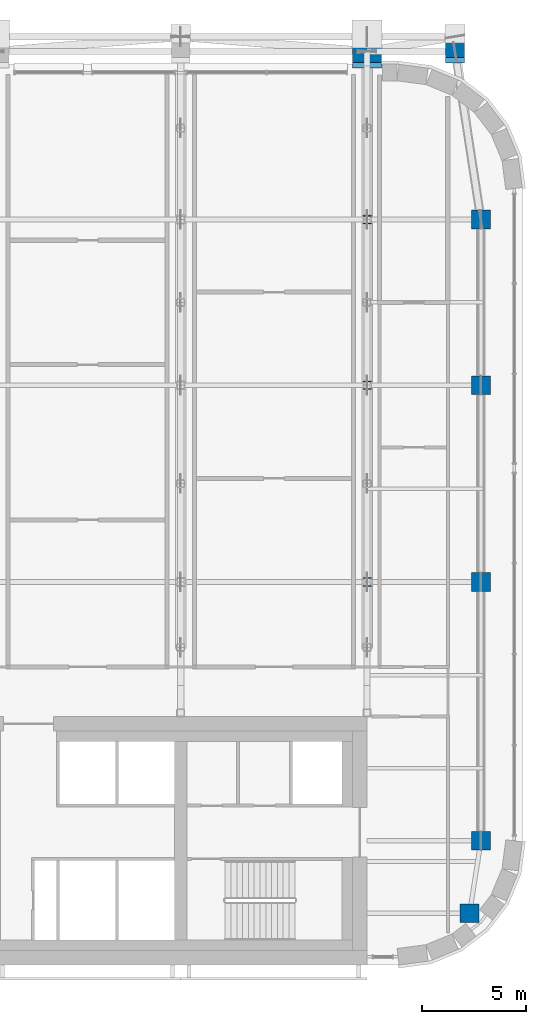
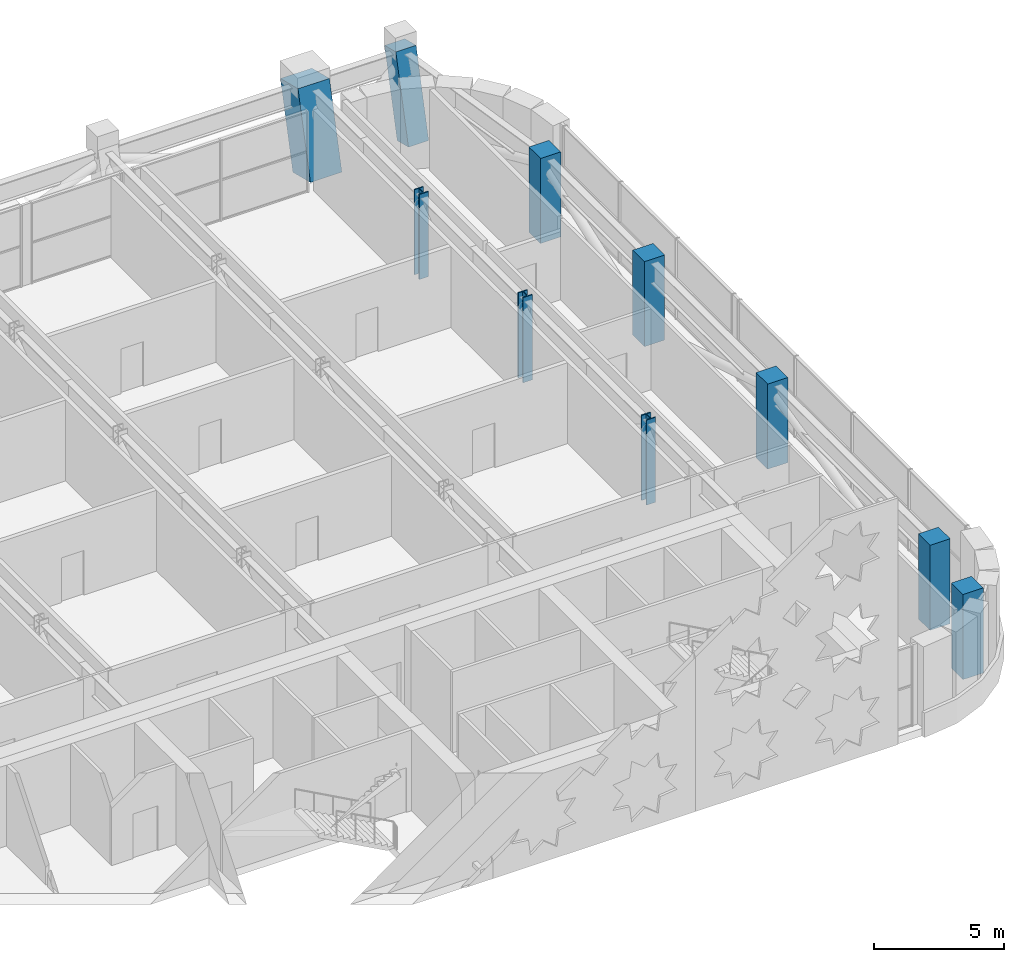
# One storey, part 2 of 26: 10 columns.
"""IFC4 building model written with IfcOpenShell, lengths in metres."""

from ifc_helpers import new_model, si_unit, direction, frame, origin, origin_2d, place, context, subcontext, project, spatial, rectangle, i_section, extrude, clip, halfspace, material, material_profile, profile_set, type_object, element, save


model = new_model("IFC4")

# Units and contexts
model_context = context("Model", 3, precision=1e-05, world=origin(), true_north=direction((0.0, 1.0)))
body_context = subcontext(model_context, "Body", "Model", "MODEL_VIEW")
ifc_project = project(units=[si_unit("LENGTHUNIT", "METRE"), si_unit("AREAUNIT", "SQUARE_METRE"), si_unit("VOLUMEUNIT", "CUBIC_METRE"), si_unit("PLANEANGLEUNIT", "RADIAN"), si_unit("MASSUNIT", "GRAM", prefix="KILO")], contexts=[model_context])

# Site, building, storey
site_placement = place(None, origin())
site = spatial("IfcSite", under=ifc_project, at=site_placement, CompositionType="ELEMENT")
building_placement = place(site_placement, origin())
building = spatial("IfcBuilding", under=site, at=building_placement, Name="Zellij Exchange Tower", CompositionType="ELEMENT")
storey_placement = place(building_placement, frame((0.0, 0.0, 216.5)))
storey = spatial("IfcBuildingStorey", under=building, at=storey_placement, Name="L50", CompositionType="ELEMENT", Elevation=216.5)

# Columns
ifc_material_1 = material(Name="Concrete C60/75", Category="concrete")
ifc_material_profile_1 = material_profile(ifc_material_1, rectangle(XDim=0.89990234375, YDim=0.89990234375, at=origin_2d()), Name="STR-COLUMN RC900x900 C60/75")
ifc_profile_set_1 = profile_set([ifc_material_profile_1], Name="Concrete C60/75")
column_type_1 = type_object("IfcColumnType", Name="STR-COLUMN RC900x900 C60/75", PredefinedType="COLUMN", material=ifc_profile_set_1)
for number, where, z_axis, x_axis, name in (
    (1, (31.949951171875, -11.5, 0.0), (0.0, 0.0, 1.0), (1.0, 0.0, 0.0), "C16"),
    (2, (32.5, -8.0, 0.0), (0.0, 0.0, 1.0), (1.0, 0.0, 0.0), "C16"),
    (3, (32.5, 4.5, 0.0), (0.0, 0.0, 1.0), (1.0, 0.0, 0.0), "C16"),
    (4, (32.5, 14.0, 0.0), (0.0, 0.0, 1.0), (1.0, 0.0, 0.0), "C16"),
    (5, (32.5, 22.0, 0.0), (0.0, 0.0, 1.0), (1.0, 0.0, 0.0), "C16"),
):
    element("IfcColumn", number, at=place(storey_placement, frame(where, z_axis=z_axis, x_axis=x_axis)), inside=storey, type_object=column_type_1, Name=name, PredefinedType="COLUMN", context=body_context, shape_type="SweptSolid", body=[
        extrude(rectangle(XDim=0.89990234375, YDim=0.89990234375, at=origin_2d()), origin(), (0.0, 0.0, 1.0), 4.0),
    ])
column_1_placement = place(storey_placement, frame((31.25, 30.0, 0.0), z_axis=(0.0, 0.242535625036, 0.970142500145), x_axis=(-1.0, 0.0, 0.0)))
element("IfcColumn", 6, at=column_1_placement, inside=storey, type_object=column_type_1, Name="C16", PredefinedType="COLUMN", context=body_context, shape_type="Clipping", body=[
    clip(extrude(rectangle(XDim=0.89990234375, YDim=0.89990234375, at=origin_2d()), origin(), (0.0, 0.0, 1.0), 4.123046875), halfspace(frame((0.0, 0.0, 4.010498046875)), False)),
])
ifc_material_2 = material(Name="Structural steel ASTM A913 Gr 65", Category="steel")
ifc_material_profile_2 = material_profile(ifc_material_2, i_section(OverallWidth=0.408935546875, OverallDepth=0.424072265625, WebThickness=0.03271484375, FlangeThickness=0.052490234375, at=origin_2d()), Name="W14x283")
ifc_profile_set_2 = profile_set([ifc_material_profile_2], Name="Structural steel ASTM A913 Gr 65")
column_type_2 = type_object("IfcColumnType", Name="STR-COLUMN W14x283", PredefinedType="COLUMN", material=ifc_profile_set_2)
for number, where, z_axis, x_axis, name in (
    (7, (27.0, 4.5, 0.0), (0.0, 0.0, 1.0), (1.0, 0.0, 0.0), "C3"),
    (8, (27.0, 14.0, 0.0), (0.0, 0.0, 1.0), (1.0, 0.0, 0.0), "C3"),
    (9, (27.0, 22.0, 0.0), (0.0, 0.0, 1.0), (1.0, 0.0, 0.0), "C3"),
):
    element("IfcColumn", number, at=place(storey_placement, frame(where, z_axis=z_axis, x_axis=x_axis)), inside=storey, type_object=column_type_2, Name=name, PredefinedType="COLUMN", context=body_context, shape_type="SweptSolid", body=[
        extrude(i_section(OverallWidth=0.408935546875, OverallDepth=0.424072265625, WebThickness=0.03271484375, FlangeThickness=0.052490234375, at=origin_2d()), origin(), (0.0, 0.0, 1.0), 4.0),
    ])
ifc_material_profile_3 = material_profile(ifc_material_1, rectangle(XDim=1.39990234375, YDim=1.39990234375, at=origin_2d()), Name="STR-MEGA COLUMN RC1400x1400 C60/75")
ifc_profile_set_3 = profile_set([ifc_material_profile_3], Name="Concrete C60/75")
column_type_3 = type_object("IfcColumnType", Name="STR-MEGA COLUMN RC1400x1400 C60/75", PredefinedType="COLUMN", material=ifc_profile_set_3)
column_2_placement = place(storey_placement, frame((27.0, 30.0, 0.0), z_axis=(0.0, 0.242535625036, 0.970142500145), x_axis=(-1.0, 0.0, 0.0)))
element("IfcColumn", 10, at=column_2_placement, inside=storey, type_object=column_type_3, Name="MC3", PredefinedType="COLUMN", context=body_context, shape_type="Clipping", body=[
    clip(extrude(rectangle(XDim=1.39990234375, YDim=1.39990234375, at=origin_2d()), origin(), (0.0, 0.0, 1.0), 4.123046875), halfspace(frame((0.0, 0.0, 3.947998046875)), False)),
])

save(model, "model.ifc")
